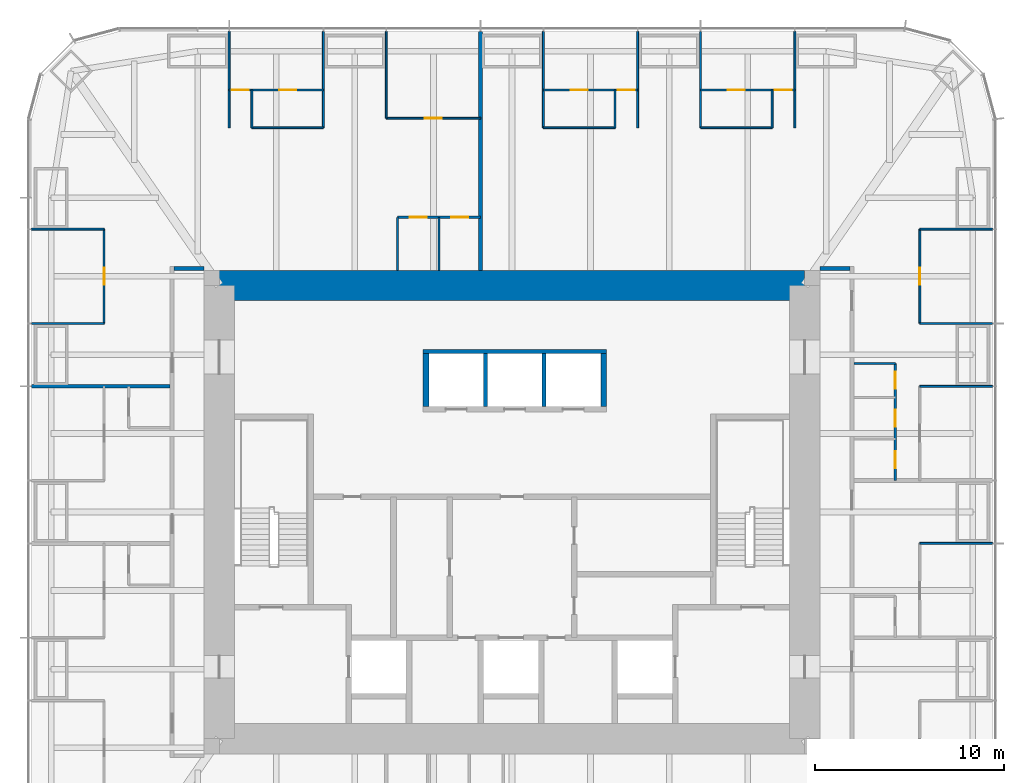
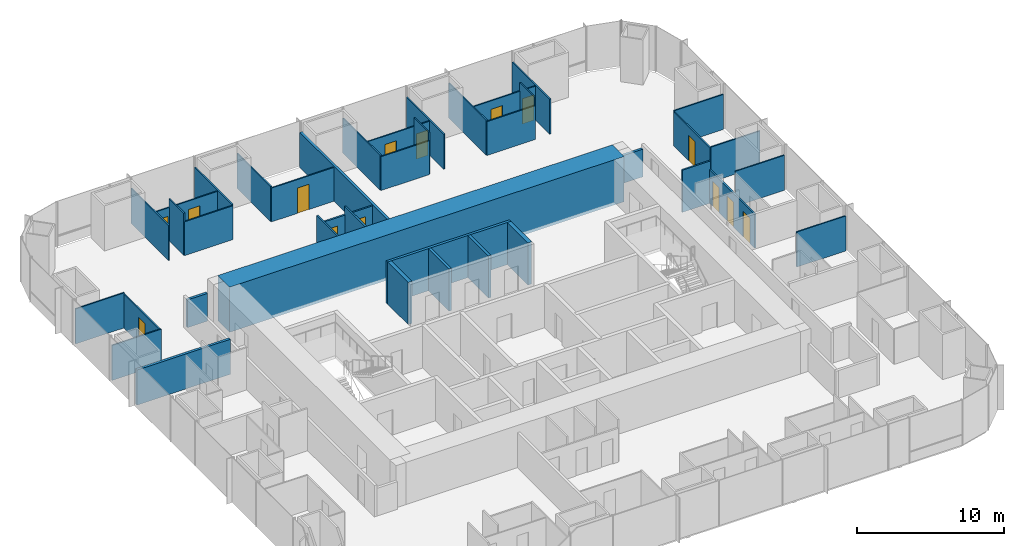
# One storey, part 11 of 13: 40 walls, 14 doors, 14 openings.
"""IFC4 building model written with IfcOpenShell, lengths in metres."""

from ifc_helpers import new_model, si_unit, direction, frame, frame_2d, origin, place, context, subcontext, project, spatial, rectangle, extrude, material, layer, layer_set, type_object, element, fill, save


model = new_model("IFC4")

# Units and contexts
model_context = context("Model", 3, precision=1e-05, world=origin(), true_north=direction((0.0, 1.0)))
body_context = subcontext(model_context, "Body", "Model", "MODEL_VIEW")
ifc_project = project(units=[si_unit("LENGTHUNIT", "METRE"), si_unit("AREAUNIT", "SQUARE_METRE"), si_unit("VOLUMEUNIT", "CUBIC_METRE"), si_unit("PLANEANGLEUNIT", "RADIAN"), si_unit("MASSUNIT", "GRAM", prefix="KILO")], contexts=[model_context])

# Site, building, storey
site_placement = place(None, origin())
site = spatial("IfcSite", under=ifc_project, at=site_placement, CompositionType="ELEMENT")
building_placement = place(site_placement, origin())
building = spatial("IfcBuilding", under=site, at=building_placement, Name="Khuree Lantern Residences", CompositionType="ELEMENT")
storey_placement = place(building_placement, frame((0.0, 0.0, 267.0)))
storey = spatial("IfcBuildingStorey", under=building, at=storey_placement, Name="L67", CompositionType="ELEMENT", Elevation=267.0)

# Wall, openings, doors
ifc_material_1 = material(Name="Moisture-resistant gypsum board on steel studs", Category="steel")
ifc_layer_1 = layer(ifc_material_1, 0.125)
ifc_layer_set_1 = layer_set([ifc_layer_1], Name="BATHROOM WALL BTW125")
wall_type_1 = type_object("IfcWallType", Name="BATHROOM WALL BTW125", PredefinedType="PARTITIONING", material=ifc_layer_set_1)
wall_1_placement = place(storey_placement, frame((20.300048828125, 1.6640625, 0.0), z_axis=(0.0, 0.0, 1.0), x_axis=(0.0, 1.0, 0.0)))
wall_1 = element("IfcWall", 1, at=wall_1_placement, inside=storey, type_object=wall_type_1, Name="L67 BATHROOM WALL 02", PredefinedType="PARTITIONING", context=body_context, shape_type="SweptSolid", body=[
    extrude(rectangle(XDim=6.199951171875, YDim=0.125, at=frame_2d((3.10009765625, 0.0))), origin(), (0.0, 0.0, 1.0), 2.81005859375),
])
opening_1_placement = place(wall_1_placement, frame((0.64990234375, 0.0, 0.0)))
opening_1 = element("IfcOpeningElement", 2, at=opening_1_placement, cuts=wall_1, Name="Opening 67-029", PredefinedType="OPENING", context=body_context, shape_type="SweptSolid", body=[
    extrude(rectangle(XDim=0.89990234375, YDim=2.10009765625, at=frame_2d((0.449951171875, 1.050048828125))), frame((0.0, 0.072509765625, 0.0), z_axis=(0.0, -1.0, 0.0), x_axis=(1.0, 0.0, 0.0)), (0.0, 0.0, 1.0), 0.14501953125),
])
opening_2_placement = place(wall_1_placement, frame((2.85009765625, 0.0, 0.0)))
opening_2 = element("IfcOpeningElement", 3, at=opening_2_placement, cuts=wall_1, Name="Opening 67-030", PredefinedType="OPENING", context=body_context, shape_type="SweptSolid", body=[
    extrude(rectangle(XDim=0.89990234375, YDim=2.10009765625, at=frame_2d((0.449951171875, 1.050048828125))), frame((0.0, 0.072509765625, 0.0), z_axis=(0.0, -1.0, 0.0), x_axis=(1.0, 0.0, 0.0)), (0.0, 0.0, 1.0), 0.14501953125),
])
opening_3_placement = place(wall_1_placement, frame((4.85009765625, 0.0, 0.0)))
opening_3 = element("IfcOpeningElement", 4, at=opening_3_placement, cuts=wall_1, Name="Opening 67-031", PredefinedType="OPENING", context=body_context, shape_type="SweptSolid", body=[
    extrude(rectangle(XDim=0.89990234375, YDim=2.10009765625, at=frame_2d((0.449951171875, 1.050048828125))), frame((0.0, 0.072509765625, 0.0), z_axis=(0.0, -1.0, 0.0), x_axis=(1.0, 0.0, 0.0)), (0.0, 0.0, 1.0), 0.14501953125),
])
ifc_material_2 = material(Name="Timber door leaf in hardwood frame", Category="wood")
door_type_1 = type_object("IfcDoorType", Name="BATHROOM DOOR 900X2100", OperationType="SINGLE_SWING_LEFT", PredefinedType="DOOR", material=ifc_material_2)
door_1_placement = place(opening_1_placement, origin())
door_1 = element("IfcDoor", 5, at=door_1_placement, inside=storey, type_object=door_type_1, Name="Bathroom door 67-029", OperationType="SINGLE_SWING_LEFT", OverallHeight=2.10009765625, OverallWidth=0.89990234375, PredefinedType="DOOR", context=body_context, shape_type="SweptSolid", body=[
    extrude(rectangle(XDim=0.89990234375, YDim=2.10009765625, at=frame_2d((0.449951171875, 1.050048828125))), frame((0.0, 0.02490234375, 0.0), z_axis=(0.0, -1.0, 0.0), x_axis=(1.0, 0.0, 0.0)), (0.0, 0.0, 1.0), 0.050048828125),
])
fill(opening_1, door_1)
door_2_placement = place(opening_2_placement, origin())
door_2 = element("IfcDoor", 6, at=door_2_placement, inside=storey, type_object=door_type_1, Name="Bathroom door 67-030", OperationType="SINGLE_SWING_LEFT", OverallHeight=2.10009765625, OverallWidth=0.89990234375, PredefinedType="DOOR", context=body_context, shape_type="SweptSolid", body=[
    extrude(rectangle(XDim=0.89990234375, YDim=2.10009765625, at=frame_2d((0.449951171875, 1.050048828125))), frame((0.0, 0.02490234375, 0.0), z_axis=(0.0, -1.0, 0.0), x_axis=(1.0, 0.0, 0.0)), (0.0, 0.0, 1.0), 0.050048828125),
])
fill(opening_2, door_2)
door_type_2 = type_object("IfcDoorType", Name="DOOR 900X2100", OperationType="SINGLE_SWING_LEFT", PredefinedType="DOOR", material=ifc_material_2)
door_3_placement = place(opening_3_placement, origin())
door_3 = element("IfcDoor", 7, at=door_3_placement, inside=storey, type_object=door_type_2, Name="Store door 67-031", OperationType="SINGLE_SWING_LEFT", OverallHeight=2.10009765625, OverallWidth=0.89990234375, PredefinedType="DOOR", context=body_context, shape_type="SweptSolid", body=[
    extrude(rectangle(XDim=0.89990234375, YDim=2.10009765625, at=frame_2d((0.449951171875, 1.050048828125))), frame((0.0, 0.02490234375, 0.0), z_axis=(0.0, -1.0, 0.0), x_axis=(1.0, 0.0, 0.0)), (0.0, 0.0, 1.0), 0.050048828125),
])
fill(opening_3, door_3)

# Wall
wall_2_placement = place(storey_placement, frame((18.10009765625, 7.864013671875, 0.0), z_axis=(0.0, 0.0, 1.0), x_axis=(1.0, 0.0, 0.0)))
element("IfcWall", 8, at=wall_2_placement, inside=storey, type_object=wall_type_1, Name="L67 BATHROOM WALL 02", PredefinedType="PARTITIONING", context=body_context, shape_type="SweptSolid", body=[
    extrude(rectangle(XDim=2.199951171875, YDim=0.125, at=frame_2d((1.10009765625, 0.0))), origin(), (0.0, 0.0, 1.0), 3.5),
])

# Wall, openings, doors
wall_3_placement = place(storey_placement, frame((-1.6640625, 15.60009765625, 0.0), z_axis=(0.0, 0.0, 1.0), x_axis=(-1.0, 0.0, 0.0)))
wall_3 = element("IfcWall", 9, at=wall_3_placement, inside=storey, type_object=wall_type_1, Name="L67 BATHROOM WALL 03", PredefinedType="PARTITIONING", context=body_context, shape_type="SweptSolid", body=[
    extrude(rectangle(XDim=4.39990234375, YDim=0.125, at=frame_2d((2.199951171875, 0.0))), origin(), (0.0, 0.0, 1.0), 2.81005859375),
])
opening_4_placement = place(wall_3_placement, frame((0.64990234375, 0.0, 0.0)))
opening_4 = element("IfcOpeningElement", 10, at=opening_4_placement, cuts=wall_3, Name="Opening 67-037", PredefinedType="OPENING", context=body_context, shape_type="SweptSolid", body=[
    extrude(rectangle(XDim=0.89990234375, YDim=2.10009765625, at=frame_2d((0.449951171875, 1.050048828125))), frame((0.0, 0.072509765625, 0.0), z_axis=(0.0, -1.0, 0.0), x_axis=(1.0, 0.0, 0.0)), (0.0, 0.0, 1.0), 0.14501953125),
])
opening_5_placement = place(wall_3_placement, frame((2.85009765625, 0.0, 0.0)))
opening_5 = element("IfcOpeningElement", 11, at=opening_5_placement, cuts=wall_3, Name="Opening 67-038", PredefinedType="OPENING", context=body_context, shape_type="SweptSolid", body=[
    extrude(rectangle(XDim=0.89990234375, YDim=2.10009765625, at=frame_2d((0.449951171875, 1.050048828125))), frame((0.0, 0.072509765625, 0.0), z_axis=(0.0, -1.0, 0.0), x_axis=(1.0, 0.0, 0.0)), (0.0, 0.0, 1.0), 0.14501953125),
])
door_4_placement = place(opening_4_placement, origin())
door_4 = element("IfcDoor", 12, at=door_4_placement, inside=storey, type_object=door_type_1, Name="Bathroom door 67-037", OperationType="SINGLE_SWING_LEFT", OverallHeight=2.10009765625, OverallWidth=0.89990234375, PredefinedType="DOOR", context=body_context, shape_type="SweptSolid", body=[
    extrude(rectangle(XDim=0.89990234375, YDim=2.10009765625, at=frame_2d((0.449951171875, 1.050048828125))), frame((0.0, 0.02490234375, 0.0), z_axis=(0.0, -1.0, 0.0), x_axis=(1.0, 0.0, 0.0)), (0.0, 0.0, 1.0), 0.050048828125),
])
fill(opening_4, door_4)
door_5_placement = place(opening_5_placement, origin())
door_5 = element("IfcDoor", 13, at=door_5_placement, inside=storey, type_object=door_type_1, Name="Bathroom door 67-038", OperationType="SINGLE_SWING_LEFT", OverallHeight=2.10009765625, OverallWidth=0.89990234375, PredefinedType="DOOR", context=body_context, shape_type="SweptSolid", body=[
    extrude(rectangle(XDim=0.89990234375, YDim=2.10009765625, at=frame_2d((0.449951171875, 1.050048828125))), frame((0.0, 0.02490234375, 0.0), z_axis=(0.0, -1.0, 0.0), x_axis=(1.0, 0.0, 0.0)), (0.0, 0.0, 1.0), 0.050048828125),
])
fill(opening_5, door_5)

# Walls
for number, where, z_axis, x_axis, name in (
    (14, (-3.864013671875, 12.800048828125, 0.0), (0.0, 0.0, 1.0), (0.0, 1.0, 0.0), "L67 BATHROOM WALL 03"),
    (15, (-6.06396484375, 12.800048828125, 0.0), (0.0, 0.0, 1.0), (0.0, 1.0, 0.0), "L67 BATHROOM WALL 03"),
):
    element("IfcWall", number, at=place(storey_placement, frame(where, z_axis=z_axis, x_axis=x_axis)), inside=storey, type_object=wall_type_1, Name=name, PredefinedType="PARTITIONING", context=body_context, shape_type="SweptSolid", body=[
        extrude(rectangle(XDim=2.800048828125, YDim=0.125, at=frame_2d((1.39990234375, 0.0))), origin(), (0.0, 0.0, 1.0), 3.5),
    ])
ifc_material_3 = material(Name="Dense concrete blockwork", Category="masonry")
ifc_layer_2 = layer(ifc_material_3, 0.300048828125)
ifc_layer_set_2 = layer_set([ifc_layer_2], Name="CORE PARTITION WALL CPW300 EI 120")
wall_type_2 = type_object("IfcWallType", Name="CORE PARTITION WALL CPW300 EI 120", PredefinedType="PARTITIONING", material=ifc_layer_set_2)
for number, where, z_axis, x_axis, name in (
    (16, (-4.550048828125, 5.60009765625, 0.0), (0.0, 0.0, 1.0), (0.0, 1.0, 0.0), "L67 CORE WALL PHW"),
    (17, (4.85009765625, 5.60009765625, 0.0), (0.0, 0.0, 1.0), (0.0, 1.0, 0.0), "L67 CORE WALL PHE"),
):
    element("IfcWall", number, at=place(storey_placement, frame(where, z_axis=z_axis, x_axis=x_axis)), inside=storey, type_object=wall_type_2, Name=name, PredefinedType="PARTITIONING", context=body_context, shape_type="SweptSolid", body=[
        extrude(rectangle(XDim=2.7998046875, YDim=0.300048828125, at=frame_2d((1.39990234375, 0.0))), origin(), (0.0, 0.0, 1.0), 3.5),
    ])
ifc_material_4 = material(Name="Gypsum board on steel studs", Category="steel")
ifc_layer_3 = layer(ifc_material_4, 0.199951171875)
ifc_layer_set_3 = layer_set([ifc_layer_3], Name="CORRIDOR WALL CRW200 EI 60")
wall_type_3 = type_object("IfcWallType", Name="CORRIDOR WALL CRW200 EI 60", PredefinedType="PARTITIONING", material=ifc_layer_set_3)
for number, where, z_axis, x_axis, name in (
    (18, (16.300048828125, 12.89990234375, 0.0), (0.0, 0.0, 1.0), (1.0, 0.0, 0.0), "L67 EAST CORRIDOR NORTH END WALL"),
    (19, (-16.300048828125, 12.89990234375, 0.0), (0.0, 0.0, 1.0), (-1.0, 0.0, 0.0), "L67 WEST CORRIDOR NORTH END WALL"),
):
    element("IfcWall", number, at=place(storey_placement, frame(where, z_axis=z_axis, x_axis=x_axis)), inside=storey, type_object=wall_type_3, Name=name, PredefinedType="PARTITIONING", context=body_context, shape_type="SweptSolid", body=[
        extrude(rectangle(XDim=1.599853515625, YDim=0.199951171875, at=frame_2d((0.7998046875, 0.0))), origin(), (0.0, 0.0, 1.0), 2.300048828125),
    ])
ifc_material_5 = material(Name="Concrete C50/60", Category="concrete")
ifc_layer_4 = layer(ifc_material_5, 1.60009765625)
ifc_layer_set_4 = layer_set([ifc_layer_4], Name="CW1600-C50 CORE WALL C50 1600")
wall_type_4 = type_object("IfcWallType", Name="CW1600-C50 CORE WALL C50 1600", PredefinedType="SHEAR", material=ifc_layer_set_4)
wall_4_placement = place(storey_placement, frame((-15.5, 12.0, -0.25), z_axis=(0.0, 0.0, 1.0), x_axis=(1.0, 0.0, 0.0)))
element("IfcWall", 20, at=wall_4_placement, inside=storey, type_object=wall_type_4, Name="Core wall N", PredefinedType="SHEAR", context=body_context, shape_type="SweptSolid", body=[
    extrude(rectangle(XDim=31.0, YDim=1.60009765625, at=frame_2d((15.5, 0.0))), origin(), (0.0, 0.0, 1.0), 3.75),
])
ifc_layer_5 = layer(ifc_material_4, 0.199951171875)
ifc_layer_set_5 = layer_set([ifc_layer_5], Name="DEMISING WALL DMW200 EI 90")
wall_type_5 = type_object("IfcWallType", Name="DEMISING WALL DMW200 EI 90", PredefinedType="PARTITIONING", material=ifc_layer_set_5)
wall_5_placement = place(storey_placement, frame((-1.6640625, 12.800048828125, 0.0), z_axis=(0.0, 0.0, 1.0), x_axis=(0.0, 1.0, 0.0)))
element("IfcWall", 21, at=wall_5_placement, inside=storey, type_object=wall_type_5, Name="L67 DEMISING WALL 03", PredefinedType="PARTITIONING", context=body_context, shape_type="SweptSolid", body=[
    extrude(rectangle(XDim=12.64990234375, YDim=0.199951171875, at=frame_2d((6.324951171875, 0.0))), origin(), (0.0, 0.0, 1.0), 2.909912109375),
])
wall_6_placement = place(storey_placement, frame((-18.10009765625, 6.656005859375, 0.0), z_axis=(0.0, 0.0, 1.0), x_axis=(-1.0, 0.0, 0.0)))
element("IfcWall", 22, at=wall_6_placement, inside=storey, type_object=wall_type_5, Name="L67 DEMISING WALL 04", PredefinedType="PARTITIONING", context=body_context, shape_type="SweptSolid", body=[
    extrude(rectangle(XDim=7.349853515625, YDim=0.199951171875, at=frame_2d((3.6748046875, 0.0))), origin(), (0.0, 0.0, 1.0), 2.909912109375),
])
ifc_layer_6 = layer(ifc_material_4, 0.10009765625)
ifc_layer_set_6 = layer_set([ifc_layer_6], Name="PARTITION PT100")
wall_type_6 = type_object("IfcWallType", Name="PARTITION PT100", PredefinedType="PARTITIONING", material=ifc_layer_set_6)
for number, where, z_axis, x_axis, name in (
    (23, (21.60009765625, -1.6640625, 0.0), (0.0, 0.0, 1.0), (1.0, 0.0, 0.0), "L67 PARTITION 01"),
    (24, (21.60009765625, 6.656005859375, 0.0), (0.0, 0.0, 1.0), (1.0, 0.0, 0.0), "L67 PARTITION 02"),
    (25, (21.60009765625, 9.98388671875, 0.0), (0.0, 0.0, 1.0), (1.0, 0.0, 0.0), "L67 PARTITION 02"),
    (26, (21.60009765625, 14.97607421875, 0.0), (0.0, 0.0, 1.0), (1.0, 0.0, 0.0), "L67 PARTITION 02"),
):
    element("IfcWall", number, at=place(storey_placement, frame(where, z_axis=z_axis, x_axis=x_axis)), inside=storey, type_object=wall_type_6, Name=name, PredefinedType="PARTITIONING", context=body_context, shape_type="SweptSolid", body=[
        extrude(rectangle(XDim=3.849853515625, YDim=0.10009765625, at=frame_2d((1.9248046875, 0.0))), origin(), (0.0, 0.0, 1.0), 2.909912109375),
    ])
for number, where, z_axis, x_axis, name in (
    (27, (14.97607421875, 20.344970703125, 0.0), (0.0, 0.0, 1.0), (0.0, 1.0, 0.0), "L67 PARTITION 02"),
    (28, (9.98388671875, 20.344970703125, 0.0), (0.0, 0.0, 1.0), (0.0, 1.0, 0.0), "L67 PARTITION 02"),
    (29, (6.656005859375, 20.344970703125, 0.0), (0.0, 0.0, 1.0), (0.0, 1.0, 0.0), "L67 PARTITION 02"),
    (30, (1.6640625, 20.344970703125, 0.0), (0.0, 0.0, 1.0), (0.0, 1.0, 0.0), "L67 PARTITION 02"),
):
    element("IfcWall", number, at=place(storey_placement, frame(where, z_axis=z_axis, x_axis=x_axis)), inside=storey, type_object=wall_type_6, Name=name, PredefinedType="PARTITIONING", context=body_context, shape_type="SweptSolid", body=[
        extrude(rectangle(XDim=5.10498046875, YDim=0.10009765625, at=frame_2d((2.552490234375, 0.0))), origin(), (0.0, 0.0, 1.0), 2.909912109375),
    ])
wall_7_placement = place(storey_placement, frame((-6.656005859375, 20.85009765625, 0.0), z_axis=(0.0, 0.0, 1.0), x_axis=(0.0, 1.0, 0.0)))
element("IfcWall", 31, at=wall_7_placement, inside=storey, type_object=wall_type_6, Name="L67 PARTITION 03", PredefinedType="PARTITIONING", context=body_context, shape_type="SweptSolid", body=[
    extrude(rectangle(XDim=4.599853515625, YDim=0.10009765625, at=frame_2d((2.2998046875, 0.0))), origin(), (0.0, 0.0, 1.0), 2.909912109375),
])
for number, where, z_axis, x_axis, name in (
    (32, (-9.98388671875, 20.344970703125, 0.0), (0.0, 0.0, 1.0), (0.0, 1.0, 0.0), "L67 PARTITION 03"),
    (33, (-14.97607421875, 20.344970703125, 0.0), (0.0, 0.0, 1.0), (0.0, 1.0, 0.0), "L67 PARTITION 03"),
):
    element("IfcWall", number, at=place(storey_placement, frame(where, z_axis=z_axis, x_axis=x_axis)), inside=storey, type_object=wall_type_6, Name=name, PredefinedType="PARTITIONING", context=body_context, shape_type="SweptSolid", body=[
        extrude(rectangle(XDim=5.10498046875, YDim=0.10009765625, at=frame_2d((2.552490234375, 0.0))), origin(), (0.0, 0.0, 1.0), 2.909912109375),
    ])
for number, where, z_axis, x_axis, name in (
    (34, (-21.60009765625, 14.97607421875, 0.0), (0.0, 0.0, 1.0), (-1.0, 0.0, 0.0), "L67 PARTITION 03"),
    (35, (-21.60009765625, 9.98388671875, 0.0), (0.0, 0.0, 1.0), (-1.0, 0.0, 0.0), "L67 PARTITION 03"),
):
    element("IfcWall", number, at=place(storey_placement, frame(where, z_axis=z_axis, x_axis=x_axis)), inside=storey, type_object=wall_type_6, Name=name, PredefinedType="PARTITIONING", context=body_context, shape_type="SweptSolid", body=[
        extrude(rectangle(XDim=3.849853515625, YDim=0.10009765625, at=frame_2d((1.9248046875, 0.0))), origin(), (0.0, 0.0, 1.0), 2.909912109375),
    ])

# Wall, opening, door
wall_8_placement = place(storey_placement, frame((21.60009765625, 9.98388671875, 0.0), z_axis=(0.0, 0.0, 1.0), x_axis=(0.0, 1.0, 0.0)))
wall_8 = element("IfcWall", 36, at=wall_8_placement, inside=storey, type_object=wall_type_6, Name="L67 PARTITION 02", PredefinedType="PARTITIONING", context=body_context, shape_type="SweptSolid", body=[
    extrude(rectangle(XDim=4.9921875, YDim=0.10009765625, at=frame_2d((2.49609375, 0.0))), origin(), (0.0, 0.0, 1.0), 2.81005859375),
])
opening_6_placement = place(wall_8_placement, frame((2.0458984375, 0.0, 0.0)))
opening_6 = element("IfcOpeningElement", 37, at=opening_6_placement, cuts=wall_8, Name="Opening 67-024", PredefinedType="OPENING", context=body_context, shape_type="SweptSolid", body=[
    extrude(rectangle(XDim=0.89990234375, YDim=2.10009765625, at=frame_2d((0.449951171875, 1.050048828125))), frame((0.0, 0.06005859375, 0.0), z_axis=(0.0, -1.0, 0.0), x_axis=(1.0, 0.0, 0.0)), (0.0, 0.0, 1.0), 0.1201171875),
])
door_type_3 = type_object("IfcDoorType", Name="BEDROOM DOOR 900X2100", OperationType="SINGLE_SWING_LEFT", PredefinedType="DOOR", material=ifc_material_2)
door_6_placement = place(opening_6_placement, origin())
door_6 = element("IfcDoor", 38, at=door_6_placement, inside=storey, type_object=door_type_3, Name="Bedroom door 67-024", OperationType="SINGLE_SWING_LEFT", OverallHeight=2.10009765625, OverallWidth=0.89990234375, PredefinedType="DOOR", context=body_context, shape_type="SweptSolid", body=[
    extrude(rectangle(XDim=0.89990234375, YDim=2.10009765625, at=frame_2d((0.449951171875, 1.050048828125))), frame((0.0, 0.02490234375, 0.0), z_axis=(0.0, -1.0, 0.0), x_axis=(1.0, 0.0, 0.0)), (0.0, 0.0, 1.0), 0.050048828125),
])
fill(opening_6, door_6)

# Wall, openings, doors
wall_9_placement = place(storey_placement, frame((14.97607421875, 22.344970703125, 0.0), z_axis=(0.0, 0.0, 1.0), x_axis=(-1.0, 0.0, 0.0)))
wall_9 = element("IfcWall", 39, at=wall_9_placement, inside=storey, type_object=wall_type_6, Name="L67 PARTITION 02", PredefinedType="PARTITIONING", context=body_context, shape_type="SweptSolid", body=[
    extrude(rectangle(XDim=4.9921875, YDim=0.10009765625, at=frame_2d((2.49609375, 0.0))), origin(), (0.0, 0.0, 1.0), 2.81005859375),
])
opening_7_placement = place(wall_9_placement, frame((0.14990234375, 0.0, 0.0)))
opening_7 = element("IfcOpeningElement", 40, at=opening_7_placement, cuts=wall_9, Name="Opening 67-025", PredefinedType="OPENING", context=body_context, shape_type="SweptSolid", body=[
    extrude(rectangle(XDim=0.89990234375, YDim=2.10009765625, at=frame_2d((0.449951171875, 1.050048828125))), frame((0.0, 0.06005859375, 0.0), z_axis=(0.0, -1.0, 0.0), x_axis=(1.0, 0.0, 0.0)), (0.0, 0.0, 1.0), 0.1201171875),
])
opening_8_placement = place(wall_9_placement, frame((2.64599609375, 0.0, 0.0)))
opening_8 = element("IfcOpeningElement", 41, at=opening_8_placement, cuts=wall_9, Name="Opening 67-026", PredefinedType="OPENING", context=body_context, shape_type="SweptSolid", body=[
    extrude(rectangle(XDim=0.89990234375, YDim=2.10009765625, at=frame_2d((0.449951171875, 1.050048828125))), frame((0.0, 0.06005859375, 0.0), z_axis=(0.0, -1.0, 0.0), x_axis=(1.0, 0.0, 0.0)), (0.0, 0.0, 1.0), 0.1201171875),
])
door_7_placement = place(opening_7_placement, origin())
door_7 = element("IfcDoor", 42, at=door_7_placement, inside=storey, type_object=door_type_3, Name="Bedroom door 67-025", OperationType="SINGLE_SWING_LEFT", OverallHeight=2.10009765625, OverallWidth=0.89990234375, PredefinedType="DOOR", context=body_context, shape_type="SweptSolid", body=[
    extrude(rectangle(XDim=0.89990234375, YDim=2.10009765625, at=frame_2d((0.449951171875, 1.050048828125))), frame((0.0, 0.02490234375, 0.0), z_axis=(0.0, -1.0, 0.0), x_axis=(1.0, 0.0, 0.0)), (0.0, 0.0, 1.0), 0.050048828125),
])
fill(opening_7, door_7)
door_8_placement = place(opening_8_placement, origin())
door_8 = element("IfcDoor", 43, at=door_8_placement, inside=storey, type_object=door_type_2, Name="Wardrobe door 67-026", OperationType="SINGLE_SWING_LEFT", OverallHeight=2.10009765625, OverallWidth=0.89990234375, PredefinedType="DOOR", context=body_context, shape_type="SweptSolid", body=[
    extrude(rectangle(XDim=0.89990234375, YDim=2.10009765625, at=frame_2d((0.449951171875, 1.050048828125))), frame((0.0, 0.02490234375, 0.0), z_axis=(0.0, -1.0, 0.0), x_axis=(1.0, 0.0, 0.0)), (0.0, 0.0, 1.0), 0.050048828125),
])
fill(opening_8, door_8)

# Walls
wall_10_placement = place(storey_placement, frame((13.77587890625, 20.344970703125, 0.0), z_axis=(0.0, 0.0, 1.0), x_axis=(0.0, 1.0, 0.0)))
element("IfcWall", 44, at=wall_10_placement, inside=storey, type_object=wall_type_6, Name="L67 PARTITION 02", PredefinedType="PARTITIONING", context=body_context, shape_type="SweptSolid", body=[
    extrude(rectangle(XDim=2.0, YDim=0.10009765625, at=frame_2d((1.0, 0.0))), origin(), (0.0, 0.0, 1.0), 3.5),
])
wall_11_placement = place(storey_placement, frame((13.77587890625, 20.344970703125, 0.0), z_axis=(0.0, 0.0, 1.0), x_axis=(-1.0, 0.0, 0.0)))
element("IfcWall", 45, at=wall_11_placement, inside=storey, type_object=wall_type_6, Name="L67 PARTITION 02", PredefinedType="PARTITIONING", context=body_context, shape_type="SweptSolid", body=[
    extrude(rectangle(XDim=3.7919921875, YDim=0.10009765625, at=frame_2d((1.89599609375, 0.0))), origin(), (0.0, 0.0, 1.0), 2.81005859375),
])

# Wall, openings, doors
wall_12_placement = place(storey_placement, frame((6.656005859375, 22.344970703125, 0.0), z_axis=(0.0, 0.0, 1.0), x_axis=(-1.0, 0.0, 0.0)))
wall_12 = element("IfcWall", 46, at=wall_12_placement, inside=storey, type_object=wall_type_6, Name="L67 PARTITION 02", PredefinedType="PARTITIONING", context=body_context, shape_type="SweptSolid", body=[
    extrude(rectangle(XDim=4.991943359375, YDim=0.10009765625, at=frame_2d((2.49609375, 0.0))), origin(), (0.0, 0.0, 1.0), 2.81005859375),
])
opening_9_placement = place(wall_12_placement, frame((0.14990234375, 0.0, 0.0)))
opening_9 = element("IfcOpeningElement", 47, at=opening_9_placement, cuts=wall_12, Name="Opening 67-027", PredefinedType="OPENING", context=body_context, shape_type="SweptSolid", body=[
    extrude(rectangle(XDim=0.89990234375, YDim=2.10009765625, at=frame_2d((0.449951171875, 1.050048828125))), frame((0.0, 0.06005859375, 0.0), z_axis=(0.0, -1.0, 0.0), x_axis=(1.0, 0.0, 0.0)), (0.0, 0.0, 1.0), 0.1201171875),
])
opening_10_placement = place(wall_12_placement, frame((2.64599609375, 0.0, 0.0)))
opening_10 = element("IfcOpeningElement", 48, at=opening_10_placement, cuts=wall_12, Name="Opening 67-028", PredefinedType="OPENING", context=body_context, shape_type="SweptSolid", body=[
    extrude(rectangle(XDim=0.89990234375, YDim=2.10009765625, at=frame_2d((0.449951171875, 1.050048828125))), frame((0.0, 0.06005859375, 0.0), z_axis=(0.0, -1.0, 0.0), x_axis=(1.0, 0.0, 0.0)), (0.0, 0.0, 1.0), 0.1201171875),
])
door_9_placement = place(opening_9_placement, origin())
door_9 = element("IfcDoor", 49, at=door_9_placement, inside=storey, type_object=door_type_3, Name="Bedroom door 67-027", OperationType="SINGLE_SWING_LEFT", OverallHeight=2.10009765625, OverallWidth=0.89990234375, PredefinedType="DOOR", context=body_context, shape_type="SweptSolid", body=[
    extrude(rectangle(XDim=0.89990234375, YDim=2.10009765625, at=frame_2d((0.449951171875, 1.050048828125))), frame((0.0, 0.02490234375, 0.0), z_axis=(0.0, -1.0, 0.0), x_axis=(1.0, 0.0, 0.0)), (0.0, 0.0, 1.0), 0.050048828125),
])
fill(opening_9, door_9)
door_10_placement = place(opening_10_placement, origin())
door_10 = element("IfcDoor", 50, at=door_10_placement, inside=storey, type_object=door_type_2, Name="Wardrobe door 67-028", OperationType="SINGLE_SWING_LEFT", OverallHeight=2.10009765625, OverallWidth=0.89990234375, PredefinedType="DOOR", context=body_context, shape_type="SweptSolid", body=[
    extrude(rectangle(XDim=0.89990234375, YDim=2.10009765625, at=frame_2d((0.449951171875, 1.050048828125))), frame((0.0, 0.02490234375, 0.0), z_axis=(0.0, -1.0, 0.0), x_axis=(1.0, 0.0, 0.0)), (0.0, 0.0, 1.0), 0.050048828125),
])
fill(opening_10, door_10)

# Walls
wall_13_placement = place(storey_placement, frame((5.4560546875, 20.344970703125, 0.0), z_axis=(0.0, 0.0, 1.0), x_axis=(0.0, 1.0, 0.0)))
element("IfcWall", 51, at=wall_13_placement, inside=storey, type_object=wall_type_6, Name="L67 PARTITION 02", PredefinedType="PARTITIONING", context=body_context, shape_type="SweptSolid", body=[
    extrude(rectangle(XDim=2.0, YDim=0.10009765625, at=frame_2d((1.0, 0.0))), origin(), (0.0, 0.0, 1.0), 3.5),
])
wall_14_placement = place(storey_placement, frame((5.4560546875, 20.344970703125, 0.0), z_axis=(0.0, 0.0, 1.0), x_axis=(-1.0, 0.0, 0.0)))
element("IfcWall", 52, at=wall_14_placement, inside=storey, type_object=wall_type_6, Name="L67 PARTITION 02", PredefinedType="PARTITIONING", context=body_context, shape_type="SweptSolid", body=[
    extrude(rectangle(XDim=3.7919921875, YDim=0.10009765625, at=frame_2d((1.89599609375, 0.0))), origin(), (0.0, 0.0, 1.0), 2.81005859375),
])

# Wall, opening, door
wall_15_placement = place(storey_placement, frame((-1.6640625, 20.85009765625, 0.0), z_axis=(0.0, 0.0, 1.0), x_axis=(-1.0, 0.0, 0.0)))
wall_15 = element("IfcWall", 53, at=wall_15_placement, inside=storey, type_object=wall_type_6, Name="L67 PARTITION 03", PredefinedType="PARTITIONING", context=body_context, shape_type="SweptSolid", body=[
    extrude(rectangle(XDim=4.991943359375, YDim=0.10009765625, at=frame_2d((2.49609375, 0.0))), origin(), (0.0, 0.0, 1.0), 2.81005859375),
])
opening_11_placement = place(wall_15_placement, frame((2.0458984375, 0.0, 0.0)))
opening_11 = element("IfcOpeningElement", 54, at=opening_11_placement, cuts=wall_15, Name="Opening 67-033", PredefinedType="OPENING", context=body_context, shape_type="SweptSolid", body=[
    extrude(rectangle(XDim=0.89990234375, YDim=2.10009765625, at=frame_2d((0.449951171875, 1.050048828125))), frame((0.0, 0.06005859375, 0.0), z_axis=(0.0, -1.0, 0.0), x_axis=(1.0, 0.0, 0.0)), (0.0, 0.0, 1.0), 0.1201171875),
])
door_11_placement = place(opening_11_placement, origin())
door_11 = element("IfcDoor", 55, at=door_11_placement, inside=storey, type_object=door_type_3, Name="Bedroom door 67-033", OperationType="SINGLE_SWING_LEFT", OverallHeight=2.10009765625, OverallWidth=0.89990234375, PredefinedType="DOOR", context=body_context, shape_type="SweptSolid", body=[
    extrude(rectangle(XDim=0.89990234375, YDim=2.10009765625, at=frame_2d((0.449951171875, 1.050048828125))), frame((0.0, 0.02490234375, 0.0), z_axis=(0.0, -1.0, 0.0), x_axis=(1.0, 0.0, 0.0)), (0.0, 0.0, 1.0), 0.050048828125),
])
fill(opening_11, door_11)

# Wall, openings, doors
wall_16_placement = place(storey_placement, frame((-9.98388671875, 22.344970703125, 0.0), z_axis=(0.0, 0.0, 1.0), x_axis=(-1.0, 0.0, 0.0)))
wall_16 = element("IfcWall", 56, at=wall_16_placement, inside=storey, type_object=wall_type_6, Name="L67 PARTITION 03", PredefinedType="PARTITIONING", context=body_context, shape_type="SweptSolid", body=[
    extrude(rectangle(XDim=4.9921875, YDim=0.10009765625, at=frame_2d((2.49609375, 0.0))), origin(), (0.0, 0.0, 1.0), 2.81005859375),
])
opening_12_placement = place(wall_16_placement, frame((3.94189453125, 0.0, 0.0)))
opening_12 = element("IfcOpeningElement", 57, at=opening_12_placement, cuts=wall_16, Name="Opening 67-034", PredefinedType="OPENING", context=body_context, shape_type="SweptSolid", body=[
    extrude(rectangle(XDim=0.89990234375, YDim=2.10009765625, at=frame_2d((0.449951171875, 1.050048828125))), frame((0.0, 0.06005859375, 0.0), z_axis=(0.0, -1.0, 0.0), x_axis=(1.0, 0.0, 0.0)), (0.0, 0.0, 1.0), 0.1201171875),
])
opening_13_placement = place(wall_16_placement, frame((1.446044921875, 0.0, 0.0)))
opening_13 = element("IfcOpeningElement", 58, at=opening_13_placement, cuts=wall_16, Name="Opening 67-035", PredefinedType="OPENING", context=body_context, shape_type="SweptSolid", body=[
    extrude(rectangle(XDim=0.89990234375, YDim=2.10009765625, at=frame_2d((0.449951171875, 1.050048828125))), frame((0.0, 0.06005859375, 0.0), z_axis=(0.0, -1.0, 0.0), x_axis=(1.0, 0.0, 0.0)), (0.0, 0.0, 1.0), 0.1201171875),
])
door_12_placement = place(opening_12_placement, origin())
door_12 = element("IfcDoor", 59, at=door_12_placement, inside=storey, type_object=door_type_3, Name="Bedroom door 67-034", OperationType="SINGLE_SWING_LEFT", OverallHeight=2.10009765625, OverallWidth=0.89990234375, PredefinedType="DOOR", context=body_context, shape_type="SweptSolid", body=[
    extrude(rectangle(XDim=0.89990234375, YDim=2.10009765625, at=frame_2d((0.449951171875, 1.050048828125))), frame((0.0, 0.02490234375, 0.0), z_axis=(0.0, -1.0, 0.0), x_axis=(1.0, 0.0, 0.0)), (0.0, 0.0, 1.0), 0.050048828125),
])
fill(opening_12, door_12)
door_13_placement = place(opening_13_placement, origin())
door_13 = element("IfcDoor", 60, at=door_13_placement, inside=storey, type_object=door_type_2, Name="Wardrobe door 67-035", OperationType="SINGLE_SWING_LEFT", OverallHeight=2.10009765625, OverallWidth=0.89990234375, PredefinedType="DOOR", context=body_context, shape_type="SweptSolid", body=[
    extrude(rectangle(XDim=0.89990234375, YDim=2.10009765625, at=frame_2d((0.449951171875, 1.050048828125))), frame((0.0, 0.02490234375, 0.0), z_axis=(0.0, -1.0, 0.0), x_axis=(1.0, 0.0, 0.0)), (0.0, 0.0, 1.0), 0.050048828125),
])
fill(opening_13, door_13)

# Walls
wall_17_placement = place(storey_placement, frame((-13.77587890625, 20.344970703125, 0.0), z_axis=(0.0, 0.0, 1.0), x_axis=(0.0, 1.0, 0.0)))
element("IfcWall", 61, at=wall_17_placement, inside=storey, type_object=wall_type_6, Name="L67 PARTITION 03", PredefinedType="PARTITIONING", context=body_context, shape_type="SweptSolid", body=[
    extrude(rectangle(XDim=2.0, YDim=0.10009765625, at=frame_2d((1.0, 0.0))), origin(), (0.0, 0.0, 1.0), 3.5),
])
wall_18_placement = place(storey_placement, frame((-9.98388671875, 20.344970703125, 0.0), z_axis=(0.0, 0.0, 1.0), x_axis=(-1.0, 0.0, 0.0)))
element("IfcWall", 62, at=wall_18_placement, inside=storey, type_object=wall_type_6, Name="L67 PARTITION 03", PredefinedType="PARTITIONING", context=body_context, shape_type="SweptSolid", body=[
    extrude(rectangle(XDim=3.7919921875, YDim=0.10009765625, at=frame_2d((1.89599609375, 0.0))), origin(), (0.0, 0.0, 1.0), 2.81005859375),
])

# Wall, opening, door
wall_19_placement = place(storey_placement, frame((-21.60009765625, 14.97607421875, 0.0), z_axis=(0.0, 0.0, 1.0), x_axis=(0.0, -1.0, 0.0)))
wall_19 = element("IfcWall", 63, at=wall_19_placement, inside=storey, type_object=wall_type_6, Name="L67 PARTITION 03", PredefinedType="PARTITIONING", context=body_context, shape_type="SweptSolid", body=[
    extrude(rectangle(XDim=4.9921875, YDim=0.10009765625, at=frame_2d((2.49609375, 0.0))), origin(), (0.0, 0.0, 1.0), 2.81005859375),
])
opening_14_placement = place(wall_19_placement, frame((2.0458984375, 0.0, 0.0)))
opening_14 = element("IfcOpeningElement", 64, at=opening_14_placement, cuts=wall_19, Name="Opening 67-036", PredefinedType="OPENING", context=body_context, shape_type="SweptSolid", body=[
    extrude(rectangle(XDim=0.89990234375, YDim=2.10009765625, at=frame_2d((0.449951171875, 1.050048828125))), frame((0.0, 0.06005859375, 0.0), z_axis=(0.0, -1.0, 0.0), x_axis=(1.0, 0.0, 0.0)), (0.0, 0.0, 1.0), 0.1201171875),
])
door_14_placement = place(opening_14_placement, origin())
door_14 = element("IfcDoor", 65, at=door_14_placement, inside=storey, type_object=door_type_3, Name="Bedroom door 67-036", OperationType="SINGLE_SWING_LEFT", OverallHeight=2.10009765625, OverallWidth=0.89990234375, PredefinedType="DOOR", context=body_context, shape_type="SweptSolid", body=[
    extrude(rectangle(XDim=0.89990234375, YDim=2.10009765625, at=frame_2d((0.449951171875, 1.050048828125))), frame((0.0, 0.02490234375, 0.0), z_axis=(0.0, -1.0, 0.0), x_axis=(1.0, 0.0, 0.0)), (0.0, 0.0, 1.0), 0.050048828125),
])
fill(opening_14, door_14)

# Walls
ifc_layer_7 = layer(ifc_material_3, 0.199951171875)
ifc_layer_set_7 = layer_set([ifc_layer_7], Name="SHAFT WALL SHW200 EI 120")
wall_type_7 = type_object("IfcWallType", Name="SHAFT WALL SHW200 EI 120", PredefinedType="PARTITIONING", material=ifc_layer_set_7)
wall_20_placement = place(storey_placement, frame((-4.699951171875, 8.5, 0.0), z_axis=(0.0, 0.0, 1.0), x_axis=(1.0, 0.0, 0.0)))
element("IfcWall", 66, at=wall_20_placement, inside=storey, type_object=wall_type_7, Name="L67 CORE WALL PHN", PredefinedType="PARTITIONING", context=body_context, shape_type="SweptSolid", body=[
    extrude(rectangle(XDim=9.699951171875, YDim=0.199951171875, at=frame_2d((4.85009765625, 0.0))), origin(), (0.0, 0.0, 1.0), 3.5),
])
for number, where, z_axis, x_axis, name in (
    (67, (-1.39990234375, 5.60009765625, 0.0), (0.0, 0.0, 1.0), (0.0, 1.0, 0.0), "L67 CORE WALL PHD1"),
    (68, (1.699951171875, 5.60009765625, 0.0), (0.0, 0.0, 1.0), (0.0, 1.0, 0.0), "L67 CORE WALL PHD2"),
):
    element("IfcWall", number, at=place(storey_placement, frame(where, z_axis=z_axis, x_axis=x_axis)), inside=storey, type_object=wall_type_7, Name=name, PredefinedType="PARTITIONING", context=body_context, shape_type="SweptSolid", body=[
        extrude(rectangle(XDim=2.7998046875, YDim=0.199951171875, at=frame_2d((1.39990234375, 0.0))), origin(), (0.0, 0.0, 1.0), 3.5),
    ])

save(model, "model.ifc")
